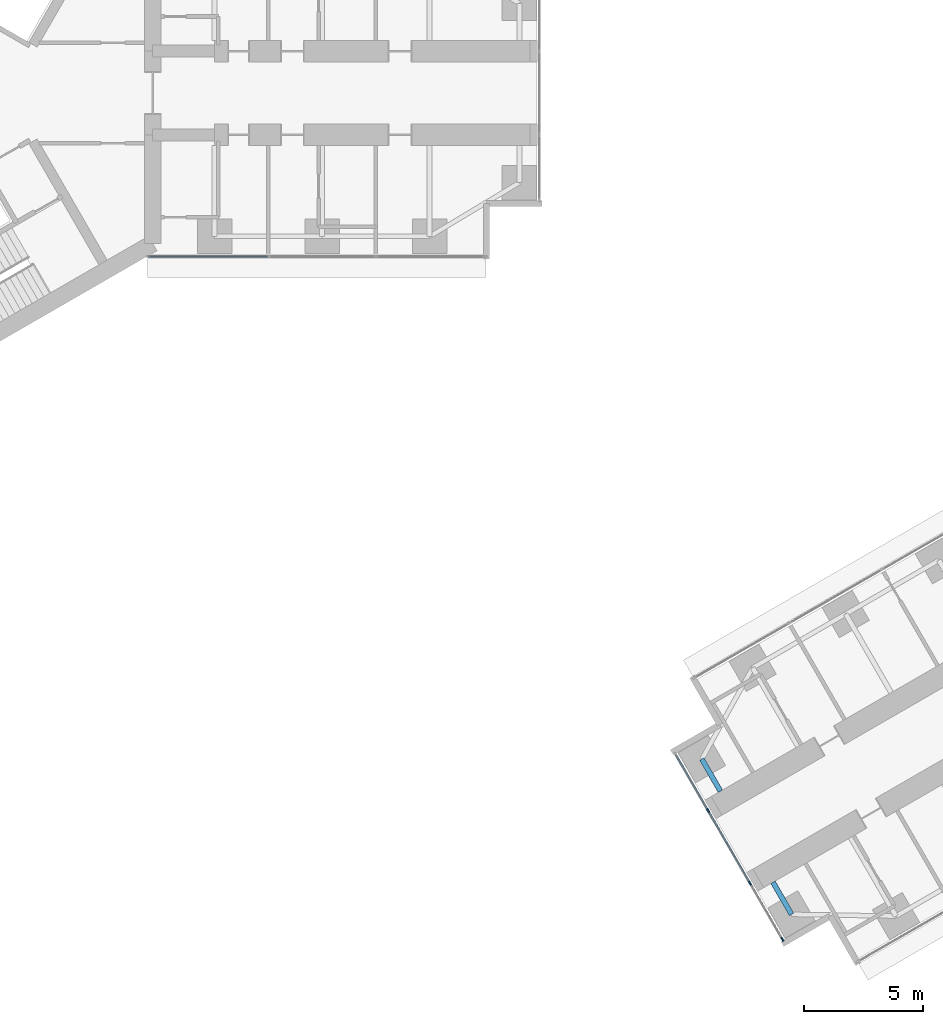
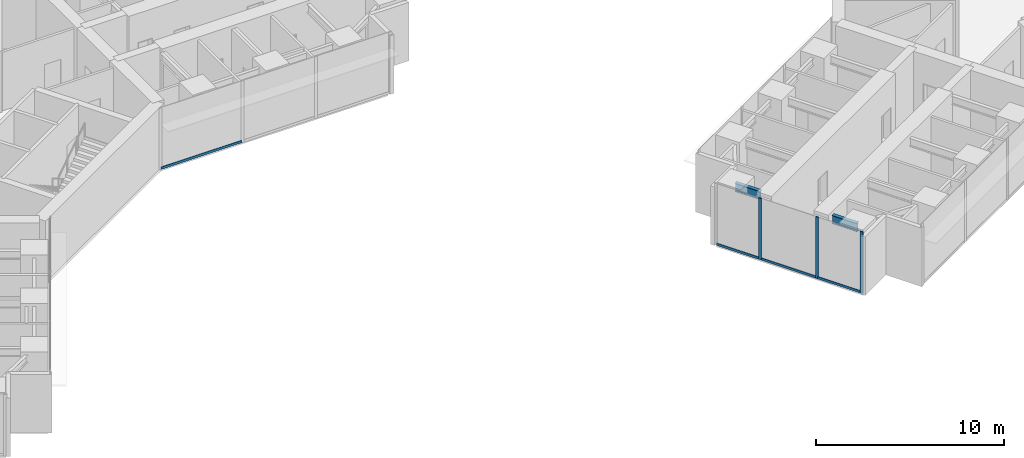
# One storey, part 3 of 24: 7 members, 2 beams, 2 elements without a shape of their own.
"""IFC4 building model written with IfcOpenShell, lengths in metres."""

import ifcopenshell
import ifcopenshell.guid

model = None  # the IFC model being written
_history = None  # IfcOwnerHistory: only IFC2X3 demands one
_inside = {}  # id of a spatial element -> (the spatial element, [elements in it])
_under = {}  # id of a project, library or spatial element -> (it, [spatial elements below it])
_declared = {}  # id of a project -> (the project, [libraries it declares])
_typed = {}  # id of a type object -> (the type object, [elements of that type])
_made_of = {}  # id of a material, layer set ... -> (it, [elements and type objects made of it])


def new_model(schema):
    """Start an empty IFC model of exactly this schema.

    Asked for "IFC4X3", IfcOpenShell would pick the latest addendum, in which some entities
    have other attributes; the version numbers below select the first issue.
    IFC2X3 requires an IfcOwnerHistory on every rooted entity: one is made here for all.
    """
    global model, _history
    if schema == "IFC4X3":
        model = ifcopenshell.file(schema_version=(4, 3, 0, 0))
    else:
        model = ifcopenshell.file(schema=schema)
    _inside.clear()
    _under.clear()
    _declared.clear()
    _typed.clear()
    _made_of.clear()
    _history = None
    if model.schema == "IFC2X3":
        org = make("IfcOrganization", Name="unknown")
        user = make(
            "IfcPersonAndOrganization",
            ThePerson=make("IfcPerson", FamilyName="unknown"),
            TheOrganization=org,
        )
        app = make(
            "IfcApplication",
            ApplicationDeveloper=org,
            Version="unknown",
            ApplicationFullName="unknown",
            ApplicationIdentifier="unknown",
        )
        _history = make(
            "IfcOwnerHistory",
            OwningUser=user,
            OwningApplication=app,
            ChangeAction="ADDED",
            CreationDate=0,
        )
    return model


def make(cls, **values):
    """One entity of the class cls with the attributes given. An attribute that is None is left unset."""
    return model.create_entity(
        cls, **{name: value for name, value in values.items() if value is not None}
    )


def rooted(cls, **values):
    """An entity with a GlobalId (a new one), such as an element, a storey or a relation."""
    return make(cls, GlobalId=ifcopenshell.guid.new(), OwnerHistory=_history, **values)


def si_unit(unit_type, name, prefix=None):
    """IfcSIUnit, for example si_unit("LENGTHUNIT", "METRE", prefix="MILLI")."""
    return make("IfcSIUnit", UnitType=unit_type, Prefix=prefix, Name=name)


def assignment(units):
    """IfcUnitAssignment: the units of a project."""
    return None if units is None else make("IfcUnitAssignment", Units=units)


def point(xyz):
    """IfcCartesianPoint."""
    return None if xyz is None else make("IfcCartesianPoint", Coordinates=xyz)


def direction(xyz):
    """IfcDirection."""
    return None if xyz is None else make("IfcDirection", DirectionRatios=xyz)


def frame(location, z_axis=None, x_axis=None):
    """IfcAxis2Placement3D, a coordinate frame: its origin and axes. An axis left out is left unset."""
    return make(
        "IfcAxis2Placement3D",
        Location=point(location),
        Axis=direction(z_axis),
        RefDirection=direction(x_axis),
    )


def frame_2d(location, x_axis=None):
    """IfcAxis2Placement2D, a coordinate frame in the plane: its origin and x axis."""
    return make(
        "IfcAxis2Placement2D", Location=point(location), RefDirection=direction(x_axis)
    )


def origin():
    """The frame at (0, 0, 0) with its axes left unset."""
    return frame((0.0, 0.0, 0.0))


def origin_2d():
    """The frame at (0, 0) in the plane with its x axis left unset."""
    return frame_2d((0.0, 0.0))


def place(relative_to, where):
    """IfcLocalPlacement: puts the frame where relative to a parent placement (None: the world)."""
    return make(
        "IfcLocalPlacement", PlacementRelTo=relative_to, RelativePlacement=where
    )


def context(
    kind, dimensions, precision=None, world=None, true_north=None, identifier=None
):
    """IfcGeometricRepresentationContext, for example the 3D "Model" context."""
    return make(
        "IfcGeometricRepresentationContext",
        ContextIdentifier=identifier,
        ContextType=kind,
        CoordinateSpaceDimension=dimensions,
        Precision=precision,
        WorldCoordinateSystem=world,
        TrueNorth=true_north,
    )


def subcontext(parent, identifier, kind, view, scale=None):
    """IfcGeometricRepresentationSubContext, for example "Body" below "Model"."""
    return make(
        "IfcGeometricRepresentationSubContext",
        ContextIdentifier=identifier,
        ContextType=kind,
        ParentContext=parent,
        TargetScale=scale,
        TargetView=view,
    )


def project(units=None, contexts=None):
    """IfcProject with its units and contexts."""
    return rooted(
        "IfcProject",
        Name="project",
        RepresentationContexts=contexts,
        UnitsInContext=assignment(units),
    )


def spatial(cls, under=None, at=None, **own):
    """A site, building, storey or space (cls), placed at a placement, below another one or the project."""
    s = rooted(cls, ObjectPlacement=at, **own)
    if under is not None:
        _under.setdefault(under.id(), (under, []))[1].append(s)
    return s


def profile(cls, at=None, kind="AREA", **sizes):
    """A parametric profile (cls). Its sizes go by their IFC names, for example OverallWidth=200.0."""
    return make(cls, ProfileType=kind, Position=at, **sizes)


def rectangle(**sizes):
    """IfcRectangleProfileDef."""
    return profile("IfcRectangleProfileDef", **sizes)


def i_section(**sizes):
    """IfcIShapeProfileDef."""
    return profile("IfcIShapeProfileDef", **sizes)


def extrude(swept, where, along, depth):
    """IfcExtrudedAreaSolid: the profile swept, set in the frame where, extruded along a direction by depth."""
    return make(
        "IfcExtrudedAreaSolid",
        SweptArea=swept,
        Position=where,
        ExtrudedDirection=direction(along),
        Depth=depth,
    )


def shape(context_of_items, identifier, shape_type, items):
    """IfcShapeRepresentation: the items that make up one representation, for example the "Body"."""
    return make(
        "IfcShapeRepresentation",
        ContextOfItems=context_of_items,
        RepresentationIdentifier=identifier,
        RepresentationType=shape_type,
        Items=items,
    )


def material(Name=None, Category=None):
    """IfcMaterial."""
    return make("IfcMaterial", Name=Name, Category=Category)


def material_profile(
    of_material, cross_section, Name=None, Category=None, Priority=None
):
    """IfcMaterialProfile: a cross section and its material."""
    return make(
        "IfcMaterialProfile",
        Name=Name,
        Material=of_material,
        Profile=cross_section,
        Priority=Priority,
        Category=Category,
    )


def profile_set(profiles, Name=None, composite=None):
    """IfcMaterialProfileSet."""
    return make(
        "IfcMaterialProfileSet",
        Name=Name,
        MaterialProfiles=profiles,
        CompositeProfile=composite,
    )


def made_of(thing, what):
    """Note that an element or type object is made of a material, layer set ...; save() writes the relation."""
    if what is not None:
        _made_of.setdefault(what.id(), (what, []))[1].append(thing)
    return thing


def type_object(cls, material=None, **own):
    """A type object (cls), such as IfcWallType, which elements share."""
    return made_of(rooted(cls, **own), material)


def element(
    cls,
    number,
    at=None,
    inside=None,
    cuts=None,
    type_object=None,
    material=None,
    context=None,
    identifier="Body",
    shape_type=None,
    held_by="IfcProductDefinitionShape",
    body=None,
    shapes=None,
    **own,
):
    """One element of the class cls, such as IfcWall. Its Tag is "e" and its number.

    at: its placement. inside: the storey or other place that contains it. cuts: it is an
    opening in that element (IfcRelVoidsElement). A single representation is given by context,
    identifier, shape_type and body (its items); several are given by shapes. held_by: the class
    of the entity that holds the representations. save() writes the other relations.
    """
    e = rooted(cls, Tag="e%d" % number, ObjectPlacement=at, **own)
    if body is not None:
        shapes = [shape(context, identifier, shape_type, body)]
    if shapes is not None:
        e.Representation = make(held_by, Representations=shapes)
    if inside is not None:
        _inside.setdefault(inside.id(), (inside, []))[1].append(e)
    if cuts is not None:
        rooted(
            "IfcRelVoidsElement", RelatingBuildingElement=cuts, RelatedOpeningElement=e
        )
    if type_object is not None:
        _typed.setdefault(type_object.id(), (type_object, []))[1].append(e)
    return made_of(e, material)


def aggregate(whole, parts):
    """IfcRelAggregates: a whole, such as a stair, and the parts it consists of."""
    return rooted("IfcRelAggregates", RelatingObject=whole, RelatedObjects=parts)


def save(model, path):
    """Write the relations noted so far, then the file.

    IfcRelAggregates (storeys below a building ...), IfcRelContainedInSpatialStructure (elements
    in a storey), IfcRelDefinesByType, IfcRelAssociatesMaterial and IfcRelDeclares: one each for
    every whole, place, type object, material and project.
    """
    for whole, parts in _under.values():
        aggregate(whole, parts)
    for where, things in _inside.values():
        rooted(
            "IfcRelContainedInSpatialStructure",
            RelatedElements=things,
            RelatingStructure=where,
        )
    for kind, things in _typed.values():
        rooted("IfcRelDefinesByType", RelatedObjects=things, RelatingType=kind)
    for what, things in _made_of.values():
        rooted("IfcRelAssociatesMaterial", RelatedObjects=things, RelatingMaterial=what)
    for by, libraries in _declared.values():
        rooted("IfcRelDeclares", RelatingContext=by, RelatedDefinitions=libraries)
    model.write(path)


model = new_model("IFC4")

# Units and contexts
model_context = context("Model", 3, precision=1e-05, world=origin(), true_north=direction((0.0, 1.0)))
body_context = subcontext(model_context, "Body", "Model", "MODEL_VIEW")
ifc_project = project(units=[si_unit("LENGTHUNIT", "METRE"), si_unit("AREAUNIT", "SQUARE_METRE"), si_unit("VOLUMEUNIT", "CUBIC_METRE"), si_unit("PLANEANGLEUNIT", "RADIAN"), si_unit("MASSUNIT", "GRAM", prefix="KILO")], contexts=[model_context])

# Site, building, storey
site_placement = place(None, origin())
site = spatial("IfcSite", under=ifc_project, at=site_placement, CompositionType="ELEMENT")
building_placement = place(site_placement, origin())
building = spatial("IfcBuilding", under=site, at=building_placement, Name="Upepo Twin Towers", CompositionType="ELEMENT")
storey_placement = place(building_placement, frame((0.0, 0.0, 60.5)))
storey = spatial("IfcBuildingStorey", under=building, at=storey_placement, Name="L14", CompositionType="ELEMENT", Elevation=60.5)

# Beams
ifc_material_1 = material(Name="Steel S355", Category="steel")
ifc_material_profile_1 = material_profile(ifc_material_1, i_section(OverallWidth=0.2119140625, OverallDepth=0.54443359375, WebThickness=0.0126953125, FlangeThickness=0.021240234375, FilletRadius=0.0126953125, at=origin_2d()), Name="UB 533x210x122")
ifc_profile_set_1 = profile_set([ifc_material_profile_1], Name="Steel S355")
beam_type = type_object("IfcBeamType", Name="Beam UB 533x210x122", PredefinedType="BEAM", material=ifc_profile_set_1)
for number, where, z_axis, x_axis, name in (
    (1, (37.641845703125, -34.37255859375, 3.52783203125), (-0.499967891604, 0.866043940782, 0.0), (-0.866043940782, -0.499967891604, 0.0), "T2 nose beam BL"),
    (2, (33.891845703125, -27.87744140625, 3.52783203125), (0.499967891604, -0.866043940782, 0.0), (0.866043940782, 0.499967891604, 0.0), "T2 nose beam BR"),
):
    element("IfcBeam", number, at=place(storey_placement, frame(where, z_axis=z_axis, x_axis=x_axis)), inside=storey, type_object=beam_type, Name=name, PredefinedType="BEAM", context=body_context, shape_type="SweptSolid", body=[
        extrude(i_section(OverallWidth=0.2119140625, OverallDepth=0.54443359375, WebThickness=0.0126953125, FlangeThickness=0.021240234375, FilletRadius=0.0126953125, at=origin_2d()), origin(), (0.0, 0.0, 1.0), 1.5498046875),
    ])

# Curtain wall, members
ifc_material_2 = material(Name="Aluminium and fritted glass", Category="aluminium")
curtain_wall_type = type_object("IfcCurtainWallType", Name="Tower curtain wall TW1, fritted glass", PredefinedType="NOTDEFINED", material=ifc_material_2)
curtain_wall_1_placement = place(storey_placement, origin())
curtain_wall_1 = element("IfcCurtainWall", 3, at=curtain_wall_1_placement, inside=storey, type_object=curtain_wall_type, Name="T2 L14 wing B nose curtain wall", PredefinedType="NOTDEFINED")
ifc_material_3 = material(Name="Aluminium mullion", Category="aluminium")
ifc_material_profile_2 = material_profile(ifc_material_3, rectangle(XDim=0.06494140625, YDim=0.179931640625, at=origin_2d()), Name="MULLION 65x180")
ifc_profile_set_2 = profile_set([ifc_material_profile_2], Name="Aluminium mullion")
member_type_1 = type_object("IfcMemberType", Name="Mullion 65x180 TW1", PredefinedType="MULLION", material=ifc_profile_set_2)
member_1_placement = place(storey_placement, frame((34.15576171875, -30.034423828125, 0.0), z_axis=(0.0, 0.0, 1.0), x_axis=(0.866025386174, 0.500000030502, 0.0)))
member_1 = element("IfcMember", 4, at=member_1_placement, type_object=member_type_1, Name="T2 L14 wing B nose curtain wall mullion 2", PredefinedType="MULLION", context=body_context, shape_type="SweptSolid", body=[
    extrude(rectangle(XDim=0.06494140625, YDim=0.179931640625, at=origin_2d()), origin(), (0.0, 0.0, 1.0), 4.0),
])
member_2_placement = place(storey_placement, frame((35.90576171875, -33.0654296875, 0.0), z_axis=(0.0, 0.0, 1.0), x_axis=(0.866025386174, 0.500000030502, 0.0)))
member_2 = element("IfcMember", 5, at=member_2_placement, type_object=member_type_1, Name="T2 L14 wing B nose curtain wall mullion 3", PredefinedType="MULLION", context=body_context, shape_type="SweptSolid", body=[
    extrude(rectangle(XDim=0.06494140625, YDim=0.179931640625, at=origin_2d()), origin(), (0.0, 0.0, 1.0), 4.0),
])
member_3_placement = place(storey_placement, frame((37.264404296875, -35.4189453125, 0.0), z_axis=(0.0, 0.0, 1.0), x_axis=(0.866025386174, 0.500000030502, 0.0)))
member_3 = element("IfcMember", 6, at=member_3_placement, type_object=member_type_1, Name="T2 L14 wing B nose curtain wall mullion 4", PredefinedType="MULLION", context=body_context, shape_type="SweptSolid", body=[
    extrude(rectangle(XDim=0.06494140625, YDim=0.179931640625, at=origin_2d()), origin(), (0.0, 0.0, 1.0), 4.0),
])

# Curtain wall, member
curtain_wall_2_placement = place(storey_placement, origin())
curtain_wall_2 = element("IfcCurtainWall", 7, at=curtain_wall_2_placement, inside=storey, type_object=curtain_wall_type, Name="T1 L14 wing A flank R curtain wall", PredefinedType="NOTDEFINED")
ifc_material_4 = material(Name="Aluminium transom", Category="aluminium")
ifc_material_profile_3 = material_profile(ifc_material_4, rectangle(XDim=0.06494140625, YDim=0.14990234375, at=origin_2d()), Name="TRANSOM 65x150")
ifc_profile_set_3 = profile_set([ifc_material_profile_3], Name="Aluminium transom")
member_type_2 = type_object("IfcMemberType", Name="Transom 65x150 TW1", PredefinedType="USERDEFINED", material=ifc_profile_set_3)
member_4_placement = place(storey_placement, frame((15.717529296875, -6.85009765625, 0.074951171875), z_axis=(-1.0, 0.0, 0.0), x_axis=(0.0, -1.0, 0.0)))
member_4 = element("IfcMember", 8, at=member_4_placement, type_object=member_type_2, Name="T1 L14 wing A flank R curtain wall transom 3", ObjectType="TRANSOM", PredefinedType="USERDEFINED", context=body_context, shape_type="SweptSolid", body=[
    extrude(rectangle(XDim=0.06494140625, YDim=0.14990234375, at=origin_2d()), origin(), (0.0, 0.0, 1.0), 4.96533203125),
])
aggregate(curtain_wall_2, [member_4])

# Member
member_5_placement = place(storey_placement, frame((32.813232421875, -27.709228515625, 0.074951171875), z_axis=(0.499980071345, -0.866036909293, 0.0), x_axis=(0.866036909293, 0.499980071345, 0.0)))
member_5 = element("IfcMember", 9, at=member_5_placement, type_object=member_type_2, Name="T2 L14 wing B nose curtain wall transom 1", ObjectType="TRANSOM", PredefinedType="USERDEFINED", context=body_context, shape_type="SweptSolid", body=[
    extrude(rectangle(XDim=0.06494140625, YDim=0.14990234375, at=origin_2d()), origin(), (0.0, 0.0, 1.0), 2.65234375),
])

member_6_placement = place(storey_placement, frame((34.171875, -30.0625, 0.074951171875), z_axis=(0.499999305434, -0.866025804792, 0.0), x_axis=(0.866025804792, 0.499999305434, 0.0)))
member_6 = element("IfcMember", 10, at=member_6_placement, type_object=member_type_2, Name="T2 L14 wing B nose curtain wall transom 2", ObjectType="TRANSOM", PredefinedType="USERDEFINED", context=body_context, shape_type="SweptSolid", body=[
    extrude(rectangle(XDim=0.06494140625, YDim=0.14990234375, at=origin_2d()), origin(), (0.0, 0.0, 1.0), 3.43505859375),
])

member_7_placement = place(storey_placement, frame((35.921875, -33.09375, 0.074951171875), z_axis=(0.500049101008, -0.865997053448, 0.0), x_axis=(0.865997053448, 0.500049101008, 0.0)))
member_7 = element("IfcMember", 11, at=member_7_placement, type_object=member_type_2, Name="T2 L14 wing B nose curtain wall transom 3", ObjectType="TRANSOM", PredefinedType="USERDEFINED", context=body_context, shape_type="SweptSolid", body=[
    extrude(rectangle(XDim=0.06494140625, YDim=0.14990234375, at=origin_2d()), origin(), (0.0, 0.0, 1.0), 2.652587890625),
])

aggregate(curtain_wall_1, [member_1, member_2, member_3, member_5, member_6, member_7])

save(model, "model.ifc")
